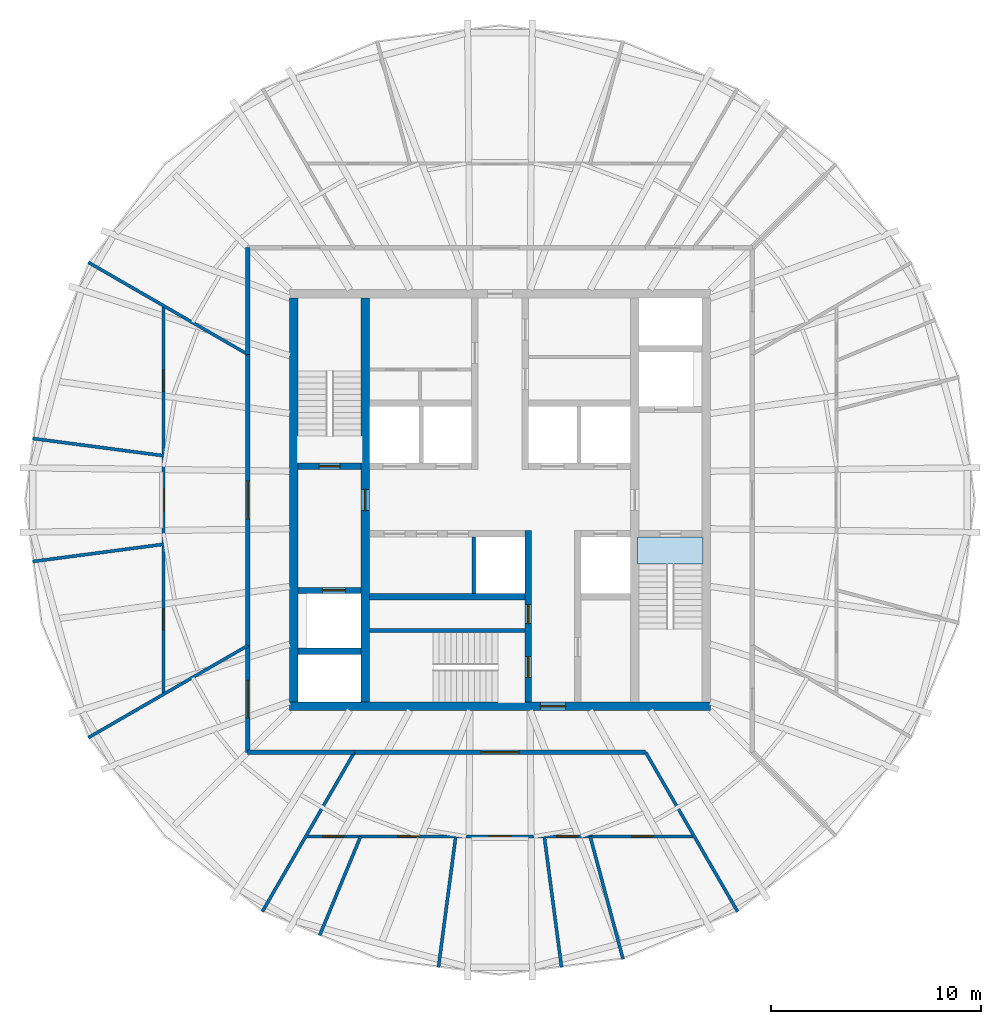
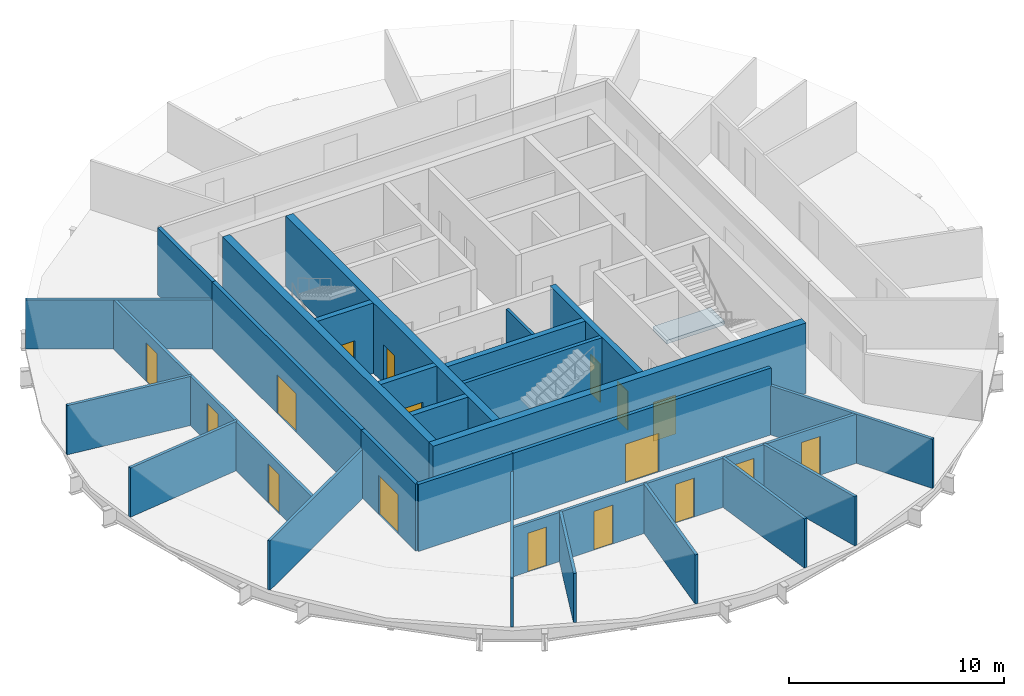
# One storey, part 3 of 6: 27 walls, 17 doors, 1 slab, 17 openings.
"""IFC4 building model written with IfcOpenShell, lengths in metres."""

from ifc_helpers import new_model, si_unit, direction, frame, frame_2d, origin, place, context, subcontext, project, spatial, polyline, rectangle, outline, extrude, material, layer, layer_set, type_object, element, fill, save


model = new_model("IFC4")

# Units and contexts
model_context = context("Model", 3, precision=1e-05, world=origin(), true_north=direction((0.0, 1.0)))
body_context = subcontext(model_context, "Body", "Model", "MODEL_VIEW")
ifc_project = project(units=[si_unit("LENGTHUNIT", "METRE"), si_unit("AREAUNIT", "SQUARE_METRE"), si_unit("VOLUMEUNIT", "CUBIC_METRE"), si_unit("PLANEANGLEUNIT", "RADIAN"), si_unit("MASSUNIT", "GRAM", prefix="KILO")], contexts=[model_context])

# Site, building, storey
site_placement = place(None, origin())
site = spatial("IfcSite", under=ifc_project, at=site_placement, CompositionType="ELEMENT")
building_placement = place(site_placement, origin())
building = spatial("IfcBuilding", under=site, at=building_placement, Name="Golbaran Civic Tower", CompositionType="ELEMENT")
storey_placement = place(building_placement, frame((0.0, 0.0, 244.0)))
storey = spatial("IfcBuildingStorey", under=building, at=storey_placement, Name="L59", CompositionType="ELEMENT", Elevation=244.0)

# Slab
ifc_material_1 = material(Name="Concrete C35/45", Category="concrete")
ifc_layer_1 = layer(ifc_material_1, 0.199951171875, Name="Concrete C35/45")
ifc_layer_set_1 = layer_set([ifc_layer_1], Name="Concrete C35/45")
slab_type = type_object("IfcSlabType", Name="STAIR LANDING 200", PredefinedType="LANDING", material=ifc_layer_set_1)
slab_placement = place(storey_placement, frame((0.0, 0.0, -0.199951171875)))
element("IfcSlab", 1, at=slab_placement, inside=storey, type_object=slab_type, Name="Stair S2 floor landing L59", PredefinedType="LANDING", context=body_context, shape_type="SweptSolid", body=[
    extrude(outline(polyline([(9.64990234375, -1.75), (9.64990234375, -3.054931640625), (6.550048828125, -3.054931640625), (6.550048828125, -1.75), (9.64990234375, -1.75)])), origin(), (0.0, 0.0, 1.0), 0.199951171875),
])

# Wall
ifc_material_2 = material(Name="Concrete block", Category="concrete")
ifc_layer_2 = layer(ifc_material_2, 0.14990234375, Name="Concrete block")
ifc_layer_set_2 = layer_set([ifc_layer_2], Name="Concrete block")
wall_type_1 = type_object("IfcWallType", Name="BLOCKWORK PARTITION 150", PredefinedType="PARTITIONING", material=ifc_layer_set_2)
wall_1_placement = place(storey_placement, frame((-1.25, -1.75, 0.0), z_axis=(0.0, 0.0, 1.0), x_axis=(0.0, -1.0, 0.0)))
element("IfcWall", 2, at=wall_1_placement, inside=storey, type_object=wall_type_1, Name="Lift H3 hoistway west wall L59", PredefinedType="PARTITIONING", context=body_context, shape_type="SweptSolid", body=[
    extrude(rectangle(XDim=2.699951171875, YDim=0.14990234375, at=frame_2d((1.35009765625, 0.0))), origin(), (0.0, 0.0, 1.0), 3.75),
])

# Wall, opening, door
ifc_material_3 = material(Name="Concrete C50/60", Category="concrete")
ifc_layer_3 = layer(ifc_material_3, 0.39990234375, Name="Concrete C50/60")
ifc_layer_set_3 = layer_set([ifc_layer_3], Name="Concrete C50/60")
wall_type_2 = type_object("IfcWallType", Name="CORE WALL CONCRETE 400", PredefinedType="SOLIDWALL", material=ifc_layer_set_3)
wall_2_placement = place(storey_placement, frame((10.0, -9.800048828125, 0.0), z_axis=(0.0, 0.0, 1.0), x_axis=(-1.0, 0.0, 0.0)))
wall_2 = element("IfcWall", 3, at=wall_2_placement, inside=storey, type_object=wall_type_2, Name="Core wall CS L59", PredefinedType="SOLIDWALL", context=body_context, shape_type="SweptSolid", body=[
    extrude(rectangle(XDim=20.0, YDim=0.39990234375, at=frame_2d((10.0, 0.0))), origin(), (0.0, 0.0, 1.0), 4.0),
])
opening_1_placement = place(wall_2_placement, frame((6.875, 0.0, 0.0)))
opening_1 = element("IfcOpeningElement", 4, at=opening_1_placement, cuts=wall_2, Name="Opening L59.CS", PredefinedType="OPENING", context=body_context, shape_type="SweptSolid", body=[
    extrude(rectangle(XDim=1.199951171875, YDim=2.199951171875, at=frame_2d((0.60009765625, 1.10009765625))), frame((0.0, 0.2099609375, 0.0), z_axis=(0.0, -1.0, 0.0), x_axis=(1.0, 0.0, 0.0)), (0.0, 0.0, 1.0), 0.419921875),
])
ifc_material_4 = material(Name="Timber door set in steel frame", Category="steel")
door_type_1 = type_object("IfcDoorType", Name="CORE DOOR 1200x2200", OperationType="DOUBLE_DOOR_SINGLE_SWING", PredefinedType="DOOR", material=ifc_material_4)
door_1_placement = place(opening_1_placement, origin())
door_1 = element("IfcDoor", 5, at=door_1_placement, inside=storey, type_object=door_type_1, Name="Core door south", OperationType="DOUBLE_DOOR_SINGLE_SWING", OverallHeight=2.199951171875, OverallWidth=1.199951171875, PredefinedType="DOOR", context=body_context, shape_type="SweptSolid", body=[
    extrude(rectangle(XDim=1.199951171875, YDim=2.199951171875, at=frame_2d((0.60009765625, 1.10009765625))), frame((0.0, 0.02490234375, 0.0), z_axis=(0.0, -1.0, 0.0), x_axis=(1.0, 0.0, 0.0)), (0.0, 0.0, 1.0), 0.050048828125),
])
fill(opening_1, door_1)

# Wall
wall_3_placement = place(storey_placement, frame((-9.800048828125, 9.60009765625, 0.0), z_axis=(0.0, 0.0, 1.0), x_axis=(0.0, -1.0, 0.0)))
element("IfcWall", 6, at=wall_3_placement, inside=storey, type_object=wall_type_2, Name="Core wall CW L59", PredefinedType="SOLIDWALL", context=body_context, shape_type="SweptSolid", body=[
    extrude(rectangle(XDim=19.2001953125, YDim=0.39990234375, at=frame_2d((9.60009765625, 0.0))), origin(), (0.0, 0.0, 1.0), 4.0),
])

# Wall, opening, door
wall_4_placement = place(storey_placement, frame((-6.39990234375, -9.60009765625, 0.0), z_axis=(0.0, 0.0, 1.0), x_axis=(0.0, 1.0, 0.0)))
wall_4 = element("IfcWall", 7, at=wall_4_placement, inside=storey, type_object=wall_type_2, Name="Core wall IW L59", PredefinedType="SOLIDWALL", context=body_context, shape_type="SweptSolid", body=[
    extrude(rectangle(XDim=19.2001953125, YDim=0.39990234375, at=frame_2d((9.60009765625, 0.0))), origin(), (0.0, 0.0, 1.0), 4.0),
])
opening_2_placement = place(wall_4_placement, frame((9.10009765625, 0.0, 0.0)))
opening_2 = element("IfcOpeningElement", 8, at=opening_2_placement, cuts=wall_4, Name="Opening L59.FL1", PredefinedType="OPENING", context=body_context, shape_type="SweptSolid", body=[
    extrude(rectangle(XDim=1.0, YDim=2.199951171875, at=frame_2d((0.5, 1.10009765625))), frame((0.0, 0.2099609375, 0.0), z_axis=(0.0, -1.0, 0.0), x_axis=(1.0, 0.0, 0.0)), (0.0, 0.0, 1.0), 0.419921875),
])
door_type_2 = type_object("IfcDoorType", Name="STAIR DOOR 1000x2200", OperationType="SINGLE_SWING_LEFT", PredefinedType="DOOR", material=ifc_material_4)
door_2_placement = place(opening_2_placement, origin())
door_2 = element("IfcDoor", 9, at=door_2_placement, inside=storey, type_object=door_type_2, Name="Fire-fighting lobby FL1 door", OperationType="SINGLE_SWING_LEFT", OverallHeight=2.199951171875, OverallWidth=1.0, PredefinedType="DOOR", context=body_context, shape_type="SweptSolid", body=[
    extrude(rectangle(XDim=1.0, YDim=2.199951171875, at=frame_2d((0.5, 1.10009765625))), frame((0.0, 0.02490234375, 0.0), z_axis=(0.0, -1.0, 0.0), x_axis=(1.0, 0.0, 0.0)), (0.0, 0.0, 1.0), 0.050048828125),
])
fill(opening_2, door_2)

# Wall
ifc_material_5 = material(Name="Gypsum board on steel studs, fire-rated", Category="steel")
ifc_layer_4 = layer(ifc_material_5, 0.199951171875, Name="Gypsum board on steel studs, fire-rated")
ifc_layer_set_4 = layer_set([ifc_layer_4], Name="Gypsum board on steel studs, fire-rated")
wall_type_3 = type_object("IfcWallType", Name="CORRIDOR WALL 200", PredefinedType="PARTITIONING", material=ifc_layer_set_4)
wall_5_placement = place(storey_placement, frame((-12.0, 12.0, 0.0), z_axis=(0.0, 0.0, 1.0), x_axis=(0.0, -1.0, 0.0)))
element("IfcWall", 10, at=wall_5_placement, inside=storey, type_object=wall_type_3, Name="Corridor wall L59", PredefinedType="PARTITIONING", context=body_context, shape_type="SweptSolid", body=[
    extrude(rectangle(XDim=5.07177734375, YDim=0.199951171875, at=frame_2d((2.535888671875, 0.0))), origin(), (0.0, 0.0, 1.0), 3.800048828125),
])

# Wall, opening, door
wall_6_placement = place(storey_placement, frame((-12.0, 6.92822265625, 0.0), z_axis=(0.0, 0.0, 1.0), x_axis=(0.0, -1.0, 0.0)))
wall_6 = element("IfcWall", 11, at=wall_6_placement, inside=storey, type_object=wall_type_3, Name="Corridor wall L59", PredefinedType="PARTITIONING", context=body_context, shape_type="SweptSolid", body=[
    extrude(rectangle(XDim=13.8564453125, YDim=0.199951171875, at=frame_2d((6.92822265625, 0.0))), origin(), (0.0, 0.0, 1.0), 3.800048828125),
])
opening_3_placement = place(wall_6_placement, frame((6.0283203125, 0.0, 0.0)))
opening_3 = element("IfcOpeningElement", 12, at=opening_3_placement, cuts=wall_6, Name="Opening L59.22", PredefinedType="OPENING", context=body_context, shape_type="SweptSolid", body=[
    extrude(rectangle(XDim=1.800048828125, YDim=2.199951171875, at=frame_2d((0.89990234375, 1.10009765625))), frame((0.0, 0.10986328125, 0.0), z_axis=(0.0, -1.0, 0.0), x_axis=(1.0, 0.0, 0.0)), (0.0, 0.0, 1.0), 0.219970703125),
])
door_type_3 = type_object("IfcDoorType", Name="OFFICE DOUBLE DOOR 1800x2200", OperationType="DOUBLE_DOOR_SINGLE_SWING", PredefinedType="DOOR", material=ifc_material_4)
door_3_placement = place(opening_3_placement, origin())
door_3 = element("IfcDoor", 13, at=door_3_placement, inside=storey, type_object=door_type_3, Name="Open Office door L59", OperationType="DOUBLE_DOOR_SINGLE_SWING", OverallHeight=2.199951171875, OverallWidth=1.800048828125, PredefinedType="DOOR", context=body_context, shape_type="SweptSolid", body=[
    extrude(rectangle(XDim=1.800048828125, YDim=2.199951171875, at=frame_2d((0.89990234375, 1.10009765625))), frame((0.0, 0.02490234375, 0.0), z_axis=(0.0, -1.0, 0.0), x_axis=(1.0, 0.0, 0.0)), (0.0, 0.0, 1.0), 0.050048828125),
])
fill(opening_3, door_3)

wall_7_placement = place(storey_placement, frame((-12.0, -6.92822265625, 0.0), z_axis=(0.0, 0.0, 1.0), x_axis=(0.0, -1.0, 0.0)))
wall_7 = element("IfcWall", 14, at=wall_7_placement, inside=storey, type_object=wall_type_3, Name="Corridor wall L59", PredefinedType="PARTITIONING", context=body_context, shape_type="SweptSolid", body=[
    extrude(rectangle(XDim=5.07177734375, YDim=0.199951171875, at=frame_2d((2.535888671875, 0.0))), origin(), (0.0, 0.0, 1.0), 3.800048828125),
])
opening_4_placement = place(wall_7_placement, frame((1.635986328125, 0.0, 0.0)))
opening_4 = element("IfcOpeningElement", 15, at=opening_4_placement, cuts=wall_7, Name="Opening L59.23", PredefinedType="OPENING", context=body_context, shape_type="SweptSolid", body=[
    extrude(rectangle(XDim=1.800048828125, YDim=2.199951171875, at=frame_2d((0.89990234375, 1.10009765625))), frame((0.0, 0.10986328125, 0.0), z_axis=(0.0, -1.0, 0.0), x_axis=(1.0, 0.0, 0.0)), (0.0, 0.0, 1.0), 0.219970703125),
])
door_4_placement = place(opening_4_placement, origin())
door_4 = element("IfcDoor", 16, at=door_4_placement, inside=storey, type_object=door_type_3, Name="Open Office door L59", OperationType="DOUBLE_DOOR_SINGLE_SWING", OverallHeight=2.199951171875, OverallWidth=1.800048828125, PredefinedType="DOOR", context=body_context, shape_type="SweptSolid", body=[
    extrude(rectangle(XDim=1.800048828125, YDim=2.199951171875, at=frame_2d((0.89990234375, 1.10009765625))), frame((0.0, 0.02490234375, 0.0), z_axis=(0.0, -1.0, 0.0), x_axis=(1.0, 0.0, 0.0)), (0.0, 0.0, 1.0), 0.050048828125),
])
fill(opening_4, door_4)

# Wall
wall_8_placement = place(storey_placement, frame((-12.0, -12.0, 0.0), z_axis=(0.0, 0.0, 1.0), x_axis=(1.0, 0.0, 0.0)))
element("IfcWall", 17, at=wall_8_placement, inside=storey, type_object=wall_type_3, Name="Corridor wall L59", PredefinedType="PARTITIONING", context=body_context, shape_type="SweptSolid", body=[
    extrude(rectangle(XDim=5.07177734375, YDim=0.199951171875, at=frame_2d((2.535888671875, 0.0))), origin(), (0.0, 0.0, 1.0), 3.800048828125),
])

# Wall, opening, door
wall_9_placement = place(storey_placement, frame((-6.92822265625, -12.0, 0.0), z_axis=(0.0, 0.0, 1.0), x_axis=(1.0, 0.0, 0.0)))
wall_9 = element("IfcWall", 18, at=wall_9_placement, inside=storey, type_object=wall_type_3, Name="Corridor wall L59", PredefinedType="PARTITIONING", context=body_context, shape_type="SweptSolid", body=[
    extrude(rectangle(XDim=13.8564453125, YDim=0.199951171875, at=frame_2d((6.92822265625, 0.0))), origin(), (0.0, 0.0, 1.0), 3.800048828125),
])
opening_5_placement = place(wall_9_placement, frame((6.0283203125, 0.0, 0.0)))
opening_5 = element("IfcOpeningElement", 19, at=opening_5_placement, cuts=wall_9, Name="Opening L59.24", PredefinedType="OPENING", context=body_context, shape_type="SweptSolid", body=[
    extrude(rectangle(XDim=1.800048828125, YDim=2.199951171875, at=frame_2d((0.89990234375, 1.10009765625))), frame((0.0, 0.10986328125, 0.0), z_axis=(0.0, -1.0, 0.0), x_axis=(1.0, 0.0, 0.0)), (0.0, 0.0, 1.0), 0.219970703125),
])
door_5_placement = place(opening_5_placement, origin())
door_5 = element("IfcDoor", 20, at=door_5_placement, inside=storey, type_object=door_type_3, Name="Secretariat door L59", OperationType="DOUBLE_DOOR_SINGLE_SWING", OverallHeight=2.199951171875, OverallWidth=1.800048828125, PredefinedType="DOOR", context=body_context, shape_type="SweptSolid", body=[
    extrude(rectangle(XDim=1.800048828125, YDim=2.199951171875, at=frame_2d((0.89990234375, 1.10009765625))), frame((0.0, 0.02490234375, 0.0), z_axis=(0.0, -1.0, 0.0), x_axis=(1.0, 0.0, 0.0)), (0.0, 0.0, 1.0), 0.050048828125),
])
fill(opening_5, door_5)

# Walls
ifc_material_6 = material(Name="Gypsum board on steel studs", Category="steel")
ifc_layer_5 = layer(ifc_material_6, 0.14990234375, Name="Gypsum board on steel studs")
ifc_layer_set_5 = layer_set([ifc_layer_5], Name="Gypsum board on steel studs")
wall_type_4 = type_object("IfcWallType", Name="OFFICE PARTITION 150", PredefinedType="PARTITIONING", material=ifc_layer_set_5)
for number, where, z_axis, x_axis, name in (
    (21, (-12.0, 6.92822265625, 0.0), (0.0, 0.0, 1.0), (-0.866020224182, 0.500008971228, 0.0), "Partition 150 L59"),
    (22, (-12.0, -6.92822265625, 0.0), (0.0, 0.0, 1.0), (-0.866020224182, -0.500008971228, 0.0), "Partition 210 L59"),
    (23, (-6.92822265625, -12.0, 0.0), (0.0, 0.0, 1.0), (-0.500008971228, -0.866020224182, 0.0), "Partition 240 L59"),
    (24, (6.92822265625, -12.0, 0.0), (0.0, 0.0, 1.0), (0.500008971228, -0.866020224182, 0.0), "Partition 300 L59"),
):
    element("IfcWall", number, at=place(storey_placement, frame(where, z_axis=z_axis, x_axis=x_axis)), inside=storey, type_object=wall_type_4, Name=name, PredefinedType="PARTITIONING", context=body_context, shape_type="SweptSolid", body=[
        extrude(rectangle(XDim=8.752685546875, YDim=0.14990234375, at=frame_2d((4.37646484375, 0.0))), origin(), (0.0, 0.0, 1.0), 2.7900390625),
    ])

# Wall, openings, doors
wall_10_placement = place(storey_placement, frame((-16.0, 9.237548828125, 0.0), z_axis=(0.0, 0.0, 1.0), x_axis=(0.0, -1.0, 0.0)))
wall_10 = element("IfcWall", 25, at=wall_10_placement, inside=storey, type_object=wall_type_4, Name="Suite partition L59", PredefinedType="PARTITIONING", context=body_context, shape_type="SweptSolid", body=[
    extrude(rectangle(XDim=18.47509765625, YDim=0.14990234375, at=frame_2d((9.237548828125, 0.0))), origin(), (0.0, 0.0, 1.0), 2.7900390625),
])
opening_6_placement = place(wall_10_placement, frame((3.065673828125, 0.0, 0.0)))
opening_6 = element("IfcOpeningElement", 26, at=opening_6_placement, cuts=wall_10, Name="Opening L59.08", PredefinedType="OPENING", context=body_context, shape_type="SweptSolid", body=[
    extrude(rectangle(XDim=1.0, YDim=2.199951171875, at=frame_2d((0.5, 1.10009765625))), frame((0.0, 0.0849609375, 0.0), z_axis=(0.0, -1.0, 0.0), x_axis=(1.0, 0.0, 0.0)), (0.0, 0.0, 1.0), 0.169921875),
])
opening_7_placement = place(wall_10_placement, frame((8.737548828125, 0.0, 0.0)))
opening_7 = element("IfcOpeningElement", 27, at=opening_7_placement, cuts=wall_10, Name="Opening L59.09", PredefinedType="OPENING", context=body_context, shape_type="SweptSolid", body=[
    extrude(rectangle(XDim=1.0, YDim=2.199951171875, at=frame_2d((0.5, 1.10009765625))), frame((0.0, 0.0849609375, 0.0), z_axis=(0.0, -1.0, 0.0), x_axis=(1.0, 0.0, 0.0)), (0.0, 0.0, 1.0), 0.169921875),
])
opening_8_placement = place(wall_10_placement, frame((14.40966796875, 0.0, 0.0)))
opening_8 = element("IfcOpeningElement", 28, at=opening_8_placement, cuts=wall_10, Name="Opening L59.10", PredefinedType="OPENING", context=body_context, shape_type="SweptSolid", body=[
    extrude(rectangle(XDim=1.0, YDim=2.199951171875, at=frame_2d((0.5, 1.10009765625))), frame((0.0, 0.0849609375, 0.0), z_axis=(0.0, -1.0, 0.0), x_axis=(1.0, 0.0, 0.0)), (0.0, 0.0, 1.0), 0.169921875),
])
door_type_4 = type_object("IfcDoorType", Name="OFFICE DOOR 1000x2200", OperationType="SINGLE_SWING_LEFT", PredefinedType="DOOR", material=ifc_material_4)
door_6_placement = place(opening_6_placement, origin())
door_6 = element("IfcDoor", 29, at=door_6_placement, inside=storey, type_object=door_type_4, Name="Meeting Room door L59", OperationType="SINGLE_SWING_LEFT", OverallHeight=2.199951171875, OverallWidth=1.0, PredefinedType="DOOR", context=body_context, shape_type="SweptSolid", body=[
    extrude(rectangle(XDim=1.0, YDim=2.199951171875, at=frame_2d((0.5, 1.10009765625))), frame((0.0, 0.02490234375, 0.0), z_axis=(0.0, -1.0, 0.0), x_axis=(1.0, 0.0, 0.0)), (0.0, 0.0, 1.0), 0.050048828125),
])
fill(opening_6, door_6)
door_7_placement = place(opening_7_placement, origin())
door_7 = element("IfcDoor", 30, at=door_7_placement, inside=storey, type_object=door_type_4, Name="Office door L59", OperationType="SINGLE_SWING_RIGHT", OverallHeight=2.199951171875, OverallWidth=1.0, PredefinedType="DOOR", context=body_context, shape_type="SweptSolid", body=[
    extrude(rectangle(XDim=1.0, YDim=2.199951171875, at=frame_2d((0.5, 1.10009765625))), frame((0.0, 0.02490234375, 0.0), z_axis=(0.0, -1.0, 0.0), x_axis=(1.0, 0.0, 0.0)), (0.0, 0.0, 1.0), 0.050048828125),
])
fill(opening_7, door_7)
door_8_placement = place(opening_8_placement, origin())
door_8 = element("IfcDoor", 31, at=door_8_placement, inside=storey, type_object=door_type_4, Name="Office door L59", OperationType="SINGLE_SWING_RIGHT", OverallHeight=2.199951171875, OverallWidth=1.0, PredefinedType="DOOR", context=body_context, shape_type="SweptSolid", body=[
    extrude(rectangle(XDim=1.0, YDim=2.199951171875, at=frame_2d((0.5, 1.10009765625))), frame((0.0, 0.02490234375, 0.0), z_axis=(0.0, -1.0, 0.0), x_axis=(1.0, 0.0, 0.0)), (0.0, 0.0, 1.0), 0.050048828125),
])
fill(opening_8, door_8)

# Walls
for number, where, z_axis, x_axis, name in (
    (32, (-16.0, 2.1064453125, 0.0), (0.0, 0.0, 1.0), (-0.991446616543, 0.130512859697, 0.0), "Partition 172.5 L59"),
    (33, (-16.0, -2.1064453125, 0.0), (0.0, 0.0, 1.0), (-0.991446616543, -0.130512859697, 0.0), "Partition 187.5 L59"),
):
    element("IfcWall", number, at=place(storey_placement, frame(where, z_axis=z_axis, x_axis=x_axis)), inside=storey, type_object=wall_type_4, Name=name, PredefinedType="PARTITIONING", context=body_context, shape_type="SweptSolid", body=[
        extrude(rectangle(XDim=6.27783203125, YDim=0.14990234375, at=frame_2d((3.138916015625, 0.0))), origin(), (0.0, 0.0, 1.0), 2.7900390625),
    ])

# Wall, openings, doors
wall_11_placement = place(storey_placement, frame((-9.237548828125, -16.0, 0.0), z_axis=(0.0, 0.0, 1.0), x_axis=(1.0, 0.0, 0.0)))
wall_11 = element("IfcWall", 34, at=wall_11_placement, inside=storey, type_object=wall_type_4, Name="Suite partition L59", PredefinedType="PARTITIONING", context=body_context, shape_type="SweptSolid", body=[
    extrude(rectangle(XDim=18.47509765625, YDim=0.14990234375, at=frame_2d((9.237548828125, 0.0))), origin(), (0.0, 0.0, 1.0), 2.7900390625),
])
opening_9_placement = place(wall_11_placement, frame((0.80517578125, 0.0, 0.0)))
opening_9 = element("IfcOpeningElement", 35, at=opening_9_placement, cuts=wall_11, Name="Opening L59.11", PredefinedType="OPENING", context=body_context, shape_type="SweptSolid", body=[
    extrude(rectangle(XDim=1.0, YDim=2.199951171875, at=frame_2d((0.5, 1.10009765625))), frame((0.0, 0.0849609375, 0.0), z_axis=(0.0, -1.0, 0.0), x_axis=(1.0, 0.0, 0.0)), (0.0, 0.0, 1.0), 0.169921875),
])
opening_10_placement = place(wall_11_placement, frame((4.37060546875, 0.0, 0.0)))
opening_10 = element("IfcOpeningElement", 36, at=opening_10_placement, cuts=wall_11, Name="Opening L59.12", PredefinedType="OPENING", context=body_context, shape_type="SweptSolid", body=[
    extrude(rectangle(XDim=1.0, YDim=2.199951171875, at=frame_2d((0.5, 1.10009765625))), frame((0.0, 0.0849609375, 0.0), z_axis=(0.0, -1.0, 0.0), x_axis=(1.0, 0.0, 0.0)), (0.0, 0.0, 1.0), 0.169921875),
])
opening_11_placement = place(wall_11_placement, frame((8.737548828125, 0.0, 0.0)))
opening_11 = element("IfcOpeningElement", 37, at=opening_11_placement, cuts=wall_11, Name="Opening L59.13", PredefinedType="OPENING", context=body_context, shape_type="SweptSolid", body=[
    extrude(rectangle(XDim=1.0, YDim=2.199951171875, at=frame_2d((0.5, 1.10009765625))), frame((0.0, 0.0849609375, 0.0), z_axis=(0.0, -1.0, 0.0), x_axis=(1.0, 0.0, 0.0)), (0.0, 0.0, 1.0), 0.169921875),
])
opening_12_placement = place(wall_11_placement, frame((11.934326171875, 0.0, 0.0)))
opening_12 = element("IfcOpeningElement", 38, at=opening_12_placement, cuts=wall_11, Name="Opening L59.14", PredefinedType="OPENING", context=body_context, shape_type="SweptSolid", body=[
    extrude(rectangle(XDim=1.0, YDim=2.199951171875, at=frame_2d((0.5, 1.10009765625))), frame((0.0, 0.0849609375, 0.0), z_axis=(0.0, -1.0, 0.0), x_axis=(1.0, 0.0, 0.0)), (0.0, 0.0, 1.0), 0.169921875),
])
opening_13_placement = place(wall_11_placement, frame((15.5, 0.0, 0.0)))
opening_13 = element("IfcOpeningElement", 39, at=opening_13_placement, cuts=wall_11, Name="Opening L59.15", PredefinedType="OPENING", context=body_context, shape_type="SweptSolid", body=[
    extrude(rectangle(XDim=1.0, YDim=2.199951171875, at=frame_2d((0.5, 1.10009765625))), frame((0.0, 0.0849609375, 0.0), z_axis=(0.0, -1.0, 0.0), x_axis=(1.0, 0.0, 0.0)), (0.0, 0.0, 1.0), 0.169921875),
])
door_9_placement = place(opening_9_placement, origin())
door_9 = element("IfcDoor", 40, at=door_9_placement, inside=storey, type_object=door_type_4, Name="Assistants' Office door L59", OperationType="SINGLE_SWING_LEFT", OverallHeight=2.199951171875, OverallWidth=1.0, PredefinedType="DOOR", context=body_context, shape_type="SweptSolid", body=[
    extrude(rectangle(XDim=1.0, YDim=2.199951171875, at=frame_2d((0.5, 1.10009765625))), frame((0.0, 0.02490234375, 0.0), z_axis=(0.0, -1.0, 0.0), x_axis=(1.0, 0.0, 0.0)), (0.0, 0.0, 1.0), 0.050048828125),
])
fill(opening_9, door_9)
door_10_placement = place(opening_10_placement, origin())
door_10 = element("IfcDoor", 41, at=door_10_placement, inside=storey, type_object=door_type_4, Name="Assistants' Office door L59", OperationType="SINGLE_SWING_LEFT", OverallHeight=2.199951171875, OverallWidth=1.0, PredefinedType="DOOR", context=body_context, shape_type="SweptSolid", body=[
    extrude(rectangle(XDim=1.0, YDim=2.199951171875, at=frame_2d((0.5, 1.10009765625))), frame((0.0, 0.02490234375, 0.0), z_axis=(0.0, -1.0, 0.0), x_axis=(1.0, 0.0, 0.0)), (0.0, 0.0, 1.0), 0.050048828125),
])
fill(opening_10, door_10)
door_11_placement = place(opening_11_placement, origin())
door_11 = element("IfcDoor", 42, at=door_11_placement, inside=storey, type_object=door_type_4, Name="Assistants' Office door L59", OperationType="SINGLE_SWING_LEFT", OverallHeight=2.199951171875, OverallWidth=1.0, PredefinedType="DOOR", context=body_context, shape_type="SweptSolid", body=[
    extrude(rectangle(XDim=1.0, YDim=2.199951171875, at=frame_2d((0.5, 1.10009765625))), frame((0.0, 0.02490234375, 0.0), z_axis=(0.0, -1.0, 0.0), x_axis=(1.0, 0.0, 0.0)), (0.0, 0.0, 1.0), 0.050048828125),
])
fill(opening_11, door_11)
door_12_placement = place(opening_12_placement, origin())
door_12 = element("IfcDoor", 43, at=door_12_placement, inside=storey, type_object=door_type_4, Name="Office door L59", OperationType="SINGLE_SWING_RIGHT", OverallHeight=2.199951171875, OverallWidth=1.0, PredefinedType="DOOR", context=body_context, shape_type="SweptSolid", body=[
    extrude(rectangle(XDim=1.0, YDim=2.199951171875, at=frame_2d((0.5, 1.10009765625))), frame((0.0, 0.02490234375, 0.0), z_axis=(0.0, -1.0, 0.0), x_axis=(1.0, 0.0, 0.0)), (0.0, 0.0, 1.0), 0.050048828125),
])
fill(opening_12, door_12)
door_13_placement = place(opening_13_placement, origin())
door_13 = element("IfcDoor", 44, at=door_13_placement, inside=storey, type_object=door_type_4, Name="Director's Office door L59", OperationType="SINGLE_SWING_RIGHT", OverallHeight=2.199951171875, OverallWidth=1.0, PredefinedType="DOOR", context=body_context, shape_type="SweptSolid", body=[
    extrude(rectangle(XDim=1.0, YDim=2.199951171875, at=frame_2d((0.5, 1.10009765625))), frame((0.0, 0.02490234375, 0.0), z_axis=(0.0, -1.0, 0.0), x_axis=(1.0, 0.0, 0.0)), (0.0, 0.0, 1.0), 0.050048828125),
])
fill(opening_13, door_13)

# Walls
wall_12_placement = place(storey_placement, frame((-6.62744140625, -16.0, 0.0), z_axis=(0.0, 0.0, 1.0), x_axis=(-0.382676089488, -0.923882573996, 0.0)))
element("IfcWall", 45, at=wall_12_placement, inside=storey, type_object=wall_type_4, Name="Partition 247.5 L59", PredefinedType="PARTITIONING", context=body_context, shape_type="SweptSolid", body=[
    extrude(rectangle(XDim=5.097412109375, YDim=0.14990234375, at=frame_2d((2.548828125, 0.0))), origin(), (0.0, 0.0, 1.0), 2.7900390625),
])
for number, where, z_axis, x_axis, name in (
    (46, (-2.1064453125, -16.0, 0.0), (0.0, 0.0, 1.0), (-0.130512859697, -0.991446616543, 0.0), "Partition 262.5 L59"),
    (47, (2.1064453125, -16.0, 0.0), (0.0, 0.0, 1.0), (0.130512859697, -0.991446616543, 0.0), "Partition 277.5 L59"),
):
    element("IfcWall", number, at=place(storey_placement, frame(where, z_axis=z_axis, x_axis=x_axis)), inside=storey, type_object=wall_type_4, Name=name, PredefinedType="PARTITIONING", context=body_context, shape_type="SweptSolid", body=[
        extrude(rectangle(XDim=6.27783203125, YDim=0.14990234375, at=frame_2d((3.138916015625, 0.0))), origin(), (0.0, 0.0, 1.0), 2.7900390625),
    ])
wall_13_placement = place(storey_placement, frame((4.287109375, -16.0, 0.0), z_axis=(0.0, 0.0, 1.0), x_axis=(0.258846444451, -0.965918484239, 0.0)))
element("IfcWall", 48, at=wall_13_placement, inside=storey, type_object=wall_type_4, Name="Partition 285 L59", PredefinedType="PARTITIONING", context=body_context, shape_type="SweptSolid", body=[
    extrude(rectangle(XDim=6.044921875, YDim=0.14990234375, at=frame_2d((3.0224609375, 0.0))), origin(), (0.0, 0.0, 1.0), 2.7900390625),
])
ifc_layer_6 = layer(ifc_material_3, 0.199951171875, Name="Concrete C50/60")
ifc_layer_set_6 = layer_set([ifc_layer_6], Name="Concrete C50/60")
wall_type_5 = type_object("IfcWallType", Name="SHAFT WALL CONCRETE 200", PredefinedType="SOLIDWALL", material=ifc_layer_set_6)
wall_14_placement = place(storey_placement, frame((-6.199951171875, -6.199951171875, 0.0), z_axis=(0.0, 0.0, 1.0), x_axis=(1.0, 0.0, 0.0)))
element("IfcWall", 49, at=wall_14_placement, inside=storey, type_object=wall_type_5, Name="Core wall S3N L59", PredefinedType="SOLIDWALL", context=body_context, shape_type="SweptSolid", body=[
    extrude(rectangle(XDim=7.39990234375, YDim=0.199951171875, at=frame_2d((3.699951171875, 0.0))), origin(), (0.0, 0.0, 1.0), 4.0),
])
ifc_layer_7 = layer(ifc_material_3, 0.300048828125, Name="Concrete C50/60")
ifc_layer_set_7 = layer_set([ifc_layer_7], Name="Concrete C50/60")
wall_type_6 = type_object("IfcWallType", Name="SHAFT WALL CONCRETE 300", PredefinedType="SOLIDWALL", material=ifc_layer_set_7)
wall_15_placement = place(storey_placement, frame((-6.199951171875, -4.60009765625, 0.0), z_axis=(0.0, 0.0, 1.0), x_axis=(1.0, 0.0, 0.0)))
element("IfcWall", 50, at=wall_15_placement, inside=storey, type_object=wall_type_6, Name="Core wall BSW L59", PredefinedType="SOLIDWALL", context=body_context, shape_type="SweptSolid", body=[
    extrude(rectangle(XDim=7.39990234375, YDim=0.300048828125, at=frame_2d((3.699951171875, 0.0))), origin(), (0.0, 0.0, 1.0), 4.0),
])

# Wall, openings, doors
wall_16_placement = place(storey_placement, frame((1.35009765625, -1.449951171875, 0.0), z_axis=(0.0, 0.0, 1.0), x_axis=(0.0, -1.0, 0.0)))
wall_16 = element("IfcWall", 51, at=wall_16_placement, inside=storey, type_object=wall_type_6, Name="Core wall PSW L59", PredefinedType="SOLIDWALL", context=body_context, shape_type="SweptSolid", body=[
    extrude(rectangle(XDim=8.150146484375, YDim=0.300048828125, at=frame_2d((4.0751953125, 0.0))), origin(), (0.0, 0.0, 1.0), 4.0),
])
opening_14_placement = place(wall_16_placement, frame((6.0, 0.0, 0.0)))
opening_14 = element("IfcOpeningElement", 52, at=opening_14_placement, cuts=wall_16, Name="Opening L59.S3", PredefinedType="OPENING", context=body_context, shape_type="SweptSolid", body=[
    extrude(rectangle(XDim=1.0, YDim=2.199951171875, at=frame_2d((0.5, 1.10009765625))), frame((0.0, 0.159912109375, 0.0), z_axis=(0.0, -1.0, 0.0), x_axis=(1.0, 0.0, 0.0)), (0.0, 0.0, 1.0), 0.320068359375),
])
opening_15_placement = place(wall_16_placement, frame((3.52490234375, 0.0, 0.0)))
opening_15 = element("IfcOpeningElement", 53, at=opening_15_placement, cuts=wall_16, Name="Opening L59.RE", PredefinedType="OPENING", context=body_context, shape_type="SweptSolid", body=[
    extrude(rectangle(XDim=0.89990234375, YDim=2.199951171875, at=frame_2d((0.449951171875, 1.10009765625))), frame((0.0, 0.159912109375, 0.0), z_axis=(0.0, -1.0, 0.0), x_axis=(1.0, 0.0, 0.0)), (0.0, 0.0, 1.0), 0.320068359375),
])
door_type_5 = type_object("IfcDoorType", Name="RISER DOOR 900x2200", OperationType="SINGLE_SWING_LEFT", PredefinedType="DOOR", material=ifc_material_4)
door_14_placement = place(opening_15_placement, origin())
door_14 = element("IfcDoor", 54, at=door_14_placement, inside=storey, type_object=door_type_5, Name="Electrical riser door", OperationType="SINGLE_SWING_LEFT", OverallHeight=2.199951171875, OverallWidth=0.89990234375, PredefinedType="DOOR", context=body_context, shape_type="SweptSolid", body=[
    extrude(rectangle(XDim=0.89990234375, YDim=2.199951171875, at=frame_2d((0.449951171875, 1.10009765625))), frame((0.0, 0.02490234375, 0.0), z_axis=(0.0, -1.0, 0.0), x_axis=(1.0, 0.0, 0.0)), (0.0, 0.0, 1.0), 0.050048828125),
])
fill(opening_15, door_14)
door_15_placement = place(opening_14_placement, origin())
door_15 = element("IfcDoor", 55, at=door_15_placement, inside=storey, type_object=door_type_2, Name="Stair S3 door", OperationType="SINGLE_SWING_RIGHT", OverallHeight=2.199951171875, OverallWidth=1.0, PredefinedType="DOOR", context=body_context, shape_type="SweptSolid", body=[
    extrude(rectangle(XDim=1.0, YDim=2.199951171875, at=frame_2d((0.5, 1.10009765625))), frame((0.0, 0.02490234375, 0.0), z_axis=(0.0, -1.0, 0.0), x_axis=(1.0, 0.0, 0.0)), (0.0, 0.0, 1.0), 0.050048828125),
])
fill(opening_14, door_15)

# Wall, opening, door
wall_17_placement = place(storey_placement, frame((-9.60009765625, 1.60009765625, 0.0), z_axis=(0.0, 0.0, 1.0), x_axis=(1.0, 0.0, 0.0)))
wall_17 = element("IfcWall", 56, at=wall_17_placement, inside=storey, type_object=wall_type_6, Name="Core wall XW1 L59", PredefinedType="SOLIDWALL", context=body_context, shape_type="SweptSolid", body=[
    extrude(rectangle(XDim=3.0, YDim=0.300048828125, at=frame_2d((1.5, 0.0))), origin(), (0.0, 0.0, 1.0), 4.0),
])
opening_16_placement = place(wall_17_placement, frame((1.0, 0.0, 0.0)))
opening_16 = element("IfcOpeningElement", 57, at=opening_16_placement, cuts=wall_17, Name="Opening L59.S1", PredefinedType="OPENING", context=body_context, shape_type="SweptSolid", body=[
    extrude(rectangle(XDim=1.0, YDim=2.199951171875, at=frame_2d((0.5, 1.10009765625))), frame((0.0, 0.159912109375, 0.0), z_axis=(0.0, -1.0, 0.0), x_axis=(1.0, 0.0, 0.0)), (0.0, 0.0, 1.0), 0.320068359375),
])
door_16_placement = place(opening_16_placement, origin())
door_16 = element("IfcDoor", 58, at=door_16_placement, inside=storey, type_object=door_type_2, Name="Stair S1 door", OperationType="SINGLE_SWING_LEFT", OverallHeight=2.199951171875, OverallWidth=1.0, PredefinedType="DOOR", context=body_context, shape_type="SweptSolid", body=[
    extrude(rectangle(XDim=1.0, YDim=2.199951171875, at=frame_2d((0.5, 1.10009765625))), frame((0.0, 0.02490234375, 0.0), z_axis=(0.0, -1.0, 0.0), x_axis=(1.0, 0.0, 0.0)), (0.0, 0.0, 1.0), 0.050048828125),
])
fill(opening_16, door_16)

wall_18_placement = place(storey_placement, frame((-9.60009765625, -4.300048828125, 0.0), z_axis=(0.0, 0.0, 1.0), x_axis=(1.0, 0.0, 0.0)))
wall_18 = element("IfcWall", 59, at=wall_18_placement, inside=storey, type_object=wall_type_6, Name="Core wall XW2 L59", PredefinedType="SOLIDWALL", context=body_context, shape_type="SweptSolid", body=[
    extrude(rectangle(XDim=3.0, YDim=0.300048828125, at=frame_2d((1.5, 0.0))), origin(), (0.0, 0.0, 1.0), 4.0),
])
opening_17_placement = place(wall_18_placement, frame((1.14990234375, 0.0, 0.0)))
opening_17 = element("IfcOpeningElement", 60, at=opening_17_placement, cuts=wall_18, Name="Opening L59.LD-F1", PredefinedType="OPENING", context=body_context, shape_type="SweptSolid", body=[
    extrude(rectangle(XDim=1.10009765625, YDim=2.199951171875, at=frame_2d((0.550048828125, 1.10009765625))), frame((0.0, 0.159912109375, 0.0), z_axis=(0.0, -1.0, 0.0), x_axis=(1.0, 0.0, 0.0)), (0.0, 0.0, 1.0), 0.320068359375),
])
ifc_material_7 = material(Name="Stainless steel", Category="steel")
door_type_6 = type_object("IfcDoorType", Name="LIFT LANDING DOOR 1100x2200", OperationType="SLIDING_TO_LEFT", PredefinedType="DOOR", material=ifc_material_7)
door_17_placement = place(opening_17_placement, origin())
door_17 = element("IfcDoor", 61, at=door_17_placement, inside=storey, type_object=door_type_6, Name="Lift landing door F1", OperationType="SLIDING_TO_LEFT", OverallHeight=2.199951171875, OverallWidth=1.10009765625, PredefinedType="DOOR", context=body_context, shape_type="SweptSolid", body=[
    extrude(rectangle(XDim=1.10009765625, YDim=2.199951171875, at=frame_2d((0.550048828125, 1.10009765625))), frame((0.0, 0.02490234375, 0.0), z_axis=(0.0, -1.0, 0.0), x_axis=(1.0, 0.0, 0.0)), (0.0, 0.0, 1.0), 0.050048828125),
])
fill(opening_17, door_17)

# Wall
wall_19_placement = place(storey_placement, frame((-9.60009765625, -7.199951171875, 0.0), z_axis=(0.0, 0.0, 1.0), x_axis=(1.0, 0.0, 0.0)))
element("IfcWall", 62, at=wall_19_placement, inside=storey, type_object=wall_type_6, Name="Core wall XW3 L59", PredefinedType="SOLIDWALL", context=body_context, shape_type="SweptSolid", body=[
    extrude(rectangle(XDim=3.0, YDim=0.300048828125, at=frame_2d((1.5, 0.0))), origin(), (0.0, 0.0, 1.0), 4.0),
])

save(model, "model.ifc")
